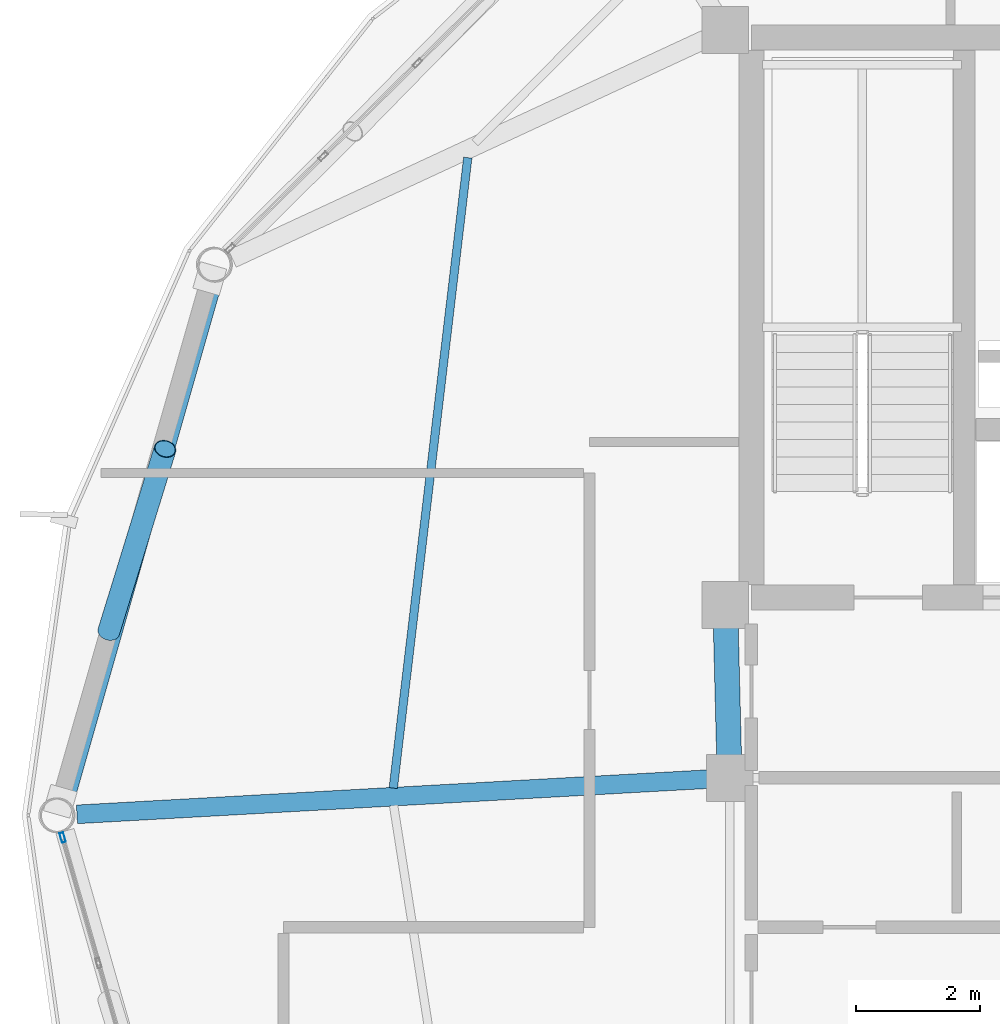
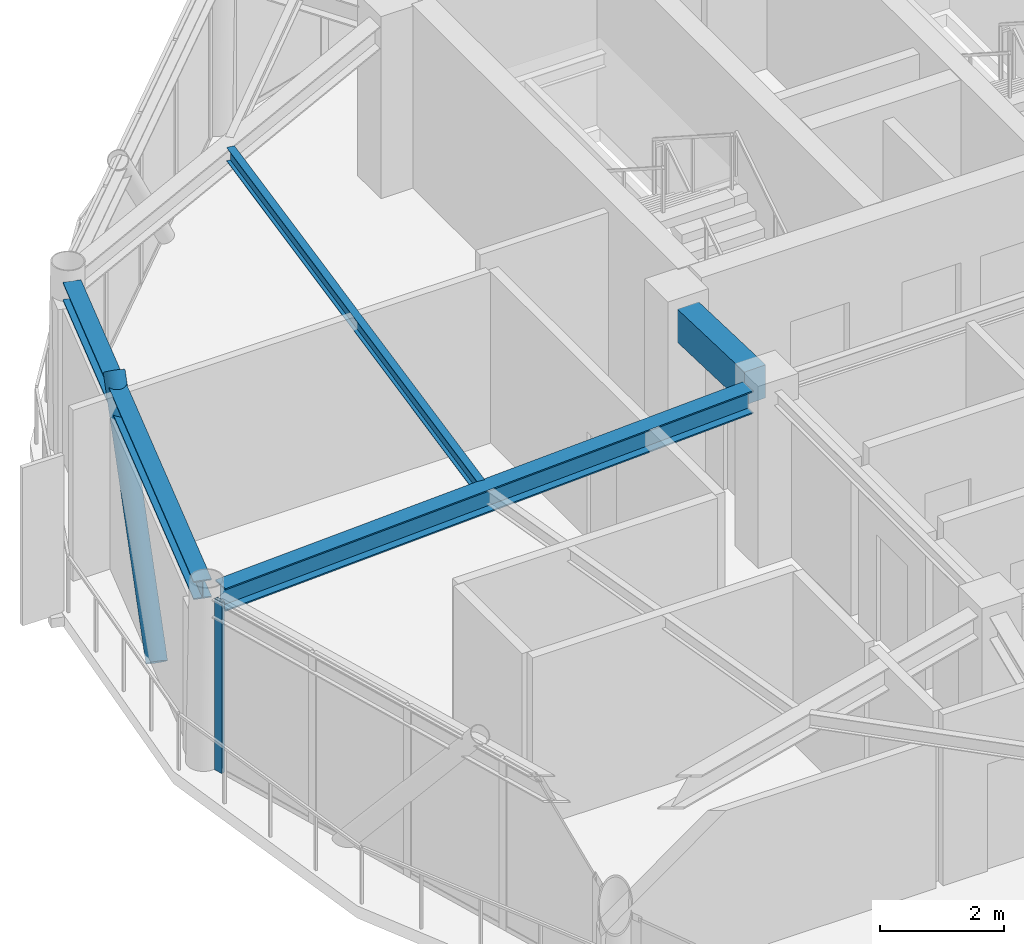
# One storey, part 10 of 24: 4 beams, 2 members, 1 element without a shape of its own.
"""IFC4 building model written with IfcOpenShell, lengths in metres."""

from ifc_helpers import new_model, si_unit, direction, frame, origin, origin_2d, place, context, subcontext, project, spatial, rectangle, hollow_rectangle, hollow_circle, i_section, extrude, material, layer, layer_set, material_profile, profile_set, type_object, element, aggregate, save


model = new_model("IFC4")

# Units and contexts
model_context = context("Model", 3, precision=1e-05, world=origin(), true_north=direction((0.0, 1.0)))
body_context = subcontext(model_context, "Body", "Model", "MODEL_VIEW")
ifc_project = project(units=[si_unit("LENGTHUNIT", "METRE"), si_unit("AREAUNIT", "SQUARE_METRE"), si_unit("VOLUMEUNIT", "CUBIC_METRE"), si_unit("PLANEANGLEUNIT", "RADIAN"), si_unit("MASSUNIT", "GRAM", prefix="KILO")], contexts=[model_context])

# Site, building, storey
site_placement = place(None, origin())
site = spatial("IfcSite", under=ifc_project, at=site_placement, CompositionType="ELEMENT")
building_placement = place(site_placement, origin())
building = spatial("IfcBuilding", under=site, at=building_placement, Name="Varnakorn Sky Granary", CompositionType="ELEMENT")
storey_placement = place(building_placement, frame((0.0, 0.0, 274.199951171875)))
storey = spatial("IfcBuildingStorey", under=building, at=storey_placement, Name="L70", CompositionType="ELEMENT", Elevation=274.199951171875)

# Beams
ifc_material_1 = material(Name="Concrete C50/60", Category="concrete")
ifc_material_profile_1 = material_profile(ifc_material_1, rectangle(XDim=0.39990234375, YDim=0.64990234375, at=origin_2d()), Name="RC 400x650")
ifc_profile_set_1 = profile_set([ifc_material_profile_1], Name="Concrete C50/60")
beam_type_1 = type_object("IfcBeamType", Name="BM-LIN-650", PredefinedType="LINTEL", material=ifc_profile_set_1)
beam_1_placement = place(storey_placement, frame((-2.4111328125, 3.025146484375, 3.03515625), z_axis=(0.025227817192, -0.999681727971, 0.0), x_axis=(0.999681727971, 0.025227817192, 0.0)))
element("IfcBeam", 1, at=beam_1_placement, inside=storey, type_object=beam_type_1, Name="Core Spine Framing Beam 1 L70", PredefinedType="LINTEL", context=body_context, shape_type="SweptSolid", body=[
    extrude(rectangle(XDim=0.39990234375, YDim=0.64990234375, at=origin_2d()), origin(), (0.0, 0.0, 1.0), 2.071044921875),
])
ifc_material_2 = material(Name="Steel S355JR", Category="steel")
ifc_material_profile_2 = material_profile(ifc_material_2, i_section(OverallWidth=0.300048828125, OverallDepth=0.449951171875, WebThickness=0.013916015625, FlangeThickness=0.02587890625, at=origin_2d()), Name="HE 450 B")
ifc_profile_set_2 = profile_set([ifc_material_profile_2], Name="Steel S355JR")
beam_type_2 = type_object("IfcBeamType", Name="BM-RAD-Z5", PredefinedType="BEAM", material=ifc_profile_set_2)
beam_2_placement = place(storey_placement, frame((-2.704345703125, 0.580078125, 3.135009765625), z_axis=(-0.998447225952, -0.055705807504, 0.0), x_axis=(0.055705807504, -0.998447225952, 0.0)))
element("IfcBeam", 2, at=beam_2_placement, inside=storey, type_object=beam_type_2, Name="Radial Floor Girder RG07 L70", PredefinedType="BEAM", context=body_context, shape_type="SweptSolid", body=[
    extrude(i_section(OverallWidth=0.300048828125, OverallDepth=0.449951171875, WebThickness=0.013916015625, FlangeThickness=0.02587890625, at=origin_2d()), origin(), (0.0, 0.0, 1.0), 10.150390625),
])
ifc_material_profile_3 = material_profile(ifc_material_2, i_section(OverallWidth=0.135009765625, OverallDepth=0.27001953125, WebThickness=0.006591796875, FlangeThickness=0.01025390625, at=origin_2d()), Name="IPE 270")
ifc_profile_set_3 = profile_set([ifc_material_profile_3], Name="Steel S355JR")
beam_type_3 = type_object("IfcBeamType", Name="BM-SEC-Z5", PredefinedType="BEAM", material=ifc_profile_set_3)
beam_3_placement = place(storey_placement, frame((-6.557861328125, 10.568603515625, 3.22509765625), z_axis=(-0.117349383217, -0.99309069186, 0.0), x_axis=(0.99309069186, -0.117349383217, 0.0)))
element("IfcBeam", 3, at=beam_3_placement, inside=storey, type_object=beam_type_3, Name="Secondary Floor Chord Beam MSB06 L70", PredefinedType="BEAM", context=body_context, shape_type="SweptSolid", body=[
    extrude(i_section(OverallWidth=0.135009765625, OverallDepth=0.27001953125, WebThickness=0.006591796875, FlangeThickness=0.01025390625, at=origin_2d()), origin(), (0.0, 0.0, 1.0), 10.20263671875),
])
ifc_material_profile_4 = material_profile(ifc_material_2, i_section(OverallWidth=0.300048828125, OverallDepth=0.360107421875, WebThickness=0.012451171875, FlangeThickness=0.0224609375, at=origin_2d()), Name="HE 360 B")
ifc_profile_set_4 = profile_set([ifc_material_profile_4], Name="Steel S355JR")
beam_type_4 = type_object("IfcBeamType", Name="BM-SPD-Z5", PredefinedType="SPANDREL", material=ifc_profile_set_4)
beam_4_placement = place(storey_placement, frame((-10.6533203125, 8.5791015625, 3.179931640625), z_axis=(-0.27458331757, -0.961563311338, 0.0), x_axis=(0.961563311338, -0.27458331757, 0.0)))
element("IfcBeam", 4, at=beam_4_placement, inside=storey, type_object=beam_type_4, Name="Perimeter Spandrel Ring Beam RB06 L70", PredefinedType="SPANDREL", context=body_context, shape_type="SweptSolid", body=[
    extrude(i_section(OverallWidth=0.300048828125, OverallDepth=0.360107421875, WebThickness=0.012451171875, FlangeThickness=0.0224609375, at=origin_2d()), origin(), (0.0, 0.0, 1.0), 8.657470703125),
])

# Curtain wall, member
ifc_material_3 = material(Name="Anodised Bronze Aluminium Alloy 6063-T6", Category="aluminium")
ifc_layer = layer(ifc_material_3, 0.159912109375, Name="Anodised Bronze Aluminium Alloy 6063-T6")
ifc_layer_set = layer_set([ifc_layer], Name="Anodised Bronze Aluminium Alloy 6063-T6")
curtain_wall_type = type_object("IfcCurtainWallType", Name="CW-OFF-1", PredefinedType="USERDEFINED", material=ifc_layer_set)
curtain_wall_placement = place(storey_placement, origin())
curtain_wall = element("IfcCurtainWall", 5, at=curtain_wall_placement, inside=storey, type_object=curtain_wall_type, Name="Unitised Curtain Wall CW6 CW-L70-B07", ObjectType="CURTAIN WALL", PredefinedType="USERDEFINED")
ifc_material_profile_5 = material_profile(ifc_material_3, hollow_rectangle(XDim=0.06494140625, YDim=0.159912109375, WallThickness=0.00341796875, at=origin_2d()), Name="ALU MULL 65x160")
ifc_profile_set_5 = profile_set([ifc_material_profile_5], Name="Anodised Bronze Aluminium Alloy 6063-T6")
member_type_1 = type_object("IfcMemberType", Name="CW-OFF-1-MULL", PredefinedType="MULLION", material=ifc_profile_set_5)
member_1_placement = place(storey_placement, frame((-13.068603515625, -0.357666015625, 0.0), z_axis=(0.0, 0.0, 1.0), x_axis=(-0.961448226015, -0.27498601545, 0.0)))
member_1 = element("IfcMember", 6, at=member_1_placement, type_object=member_type_1, Name="CW6 mullion 5", PredefinedType="MULLION", context=body_context, shape_type="SweptSolid", body=[
    extrude(hollow_rectangle(XDim=0.06494140625, YDim=0.159912109375, WallThickness=0.00341796875, at=origin_2d()), origin(), (0.0, 0.0, 1.0), 3.360107421875),
])
aggregate(curtain_wall, [member_1])

# Member
ifc_material_4 = material(Name="Steel S460M", Category="steel")
ifc_material_profile_6 = material_profile(ifc_material_4, hollow_circle(Radius=0.177734375, WallThickness=0.01416015625, at=origin_2d()), Name="CHS 355.6x14")
ifc_profile_set_6 = profile_set([ifc_material_profile_6], Name="Steel S460M")
member_type_2 = type_object("IfcMemberType", Name="MB-DIAG-T5", PredefinedType="BRACE", material=ifc_profile_set_6)
member_2_placement = place(storey_placement, frame((-12.3271484375, 2.949951171875, -0.1298828125), z_axis=(0.19069132815, 0.618744530532, 0.762097121964), x_axis=(-0.955645026772, 0.294520937807, 0.0)))
element("IfcMember", 7, at=member_2_placement, inside=storey, type_object=member_type_2, Name="Perimeter CHS Diagrid Brace DG06 L70", PredefinedType="BRACE", context=body_context, shape_type="SweptSolid", body=[
    extrude(hollow_circle(Radius=0.177734375, WallThickness=0.01416015625, at=origin_2d()), origin(), (0.0, 0.0, 1.0), 4.75),
])

save(model, "model.ifc")
